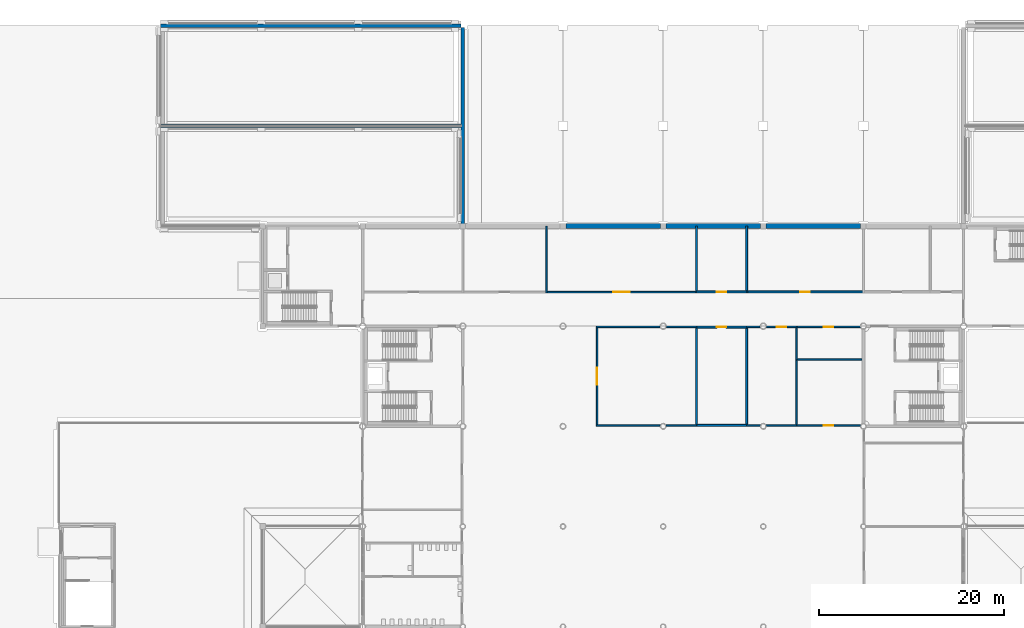
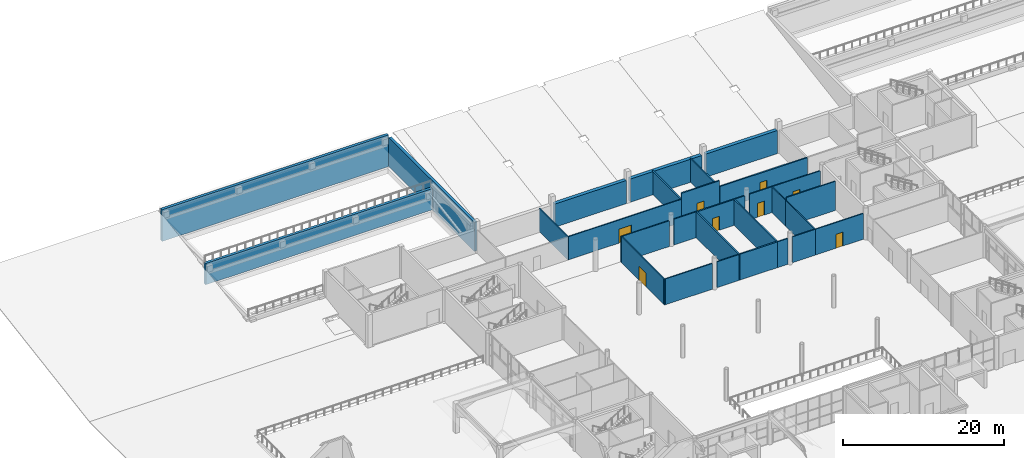
# One storey, part 51 of 91: 30 walls, 8 doors, 8 openings.
"""IFC4 building model written with IfcOpenShell, lengths in metres."""

from ifc_helpers import new_model, si_unit, direction, frame, frame_2d, origin, place, context, subcontext, project, spatial, rectangle, extrude, material, layer, layer_set, type_object, element, fill, save


model = new_model("IFC4")

# Units and contexts
model_context = context("Model", 3, precision=1e-05, world=origin(), true_north=direction((0.0, 1.0)))
body_context = subcontext(model_context, "Body", "Model", "MODEL_VIEW")
ifc_project = project(units=[si_unit("LENGTHUNIT", "METRE"), si_unit("AREAUNIT", "SQUARE_METRE"), si_unit("VOLUMEUNIT", "CUBIC_METRE"), si_unit("PLANEANGLEUNIT", "RADIAN"), si_unit("MASSUNIT", "GRAM", prefix="KILO")], contexts=[model_context])

# Site, building, storey
site_placement = place(None, origin())
site = spatial("IfcSite", under=ifc_project, at=site_placement, CompositionType="ELEMENT")
building_placement = place(site_placement, origin())
building = spatial("IfcBuilding", under=site, at=building_placement, Name="Magnolia Steps Interchange", CompositionType="ELEMENT")
storey_placement = place(building_placement, origin())
storey = spatial("IfcBuildingStorey", under=building, at=storey_placement, Name="L00", CompositionType="ELEMENT", Elevation=0.0)

# Walls
ifc_material_1 = material(Name="Concrete C40", Category="concrete")
ifc_layer_1 = layer(ifc_material_1, 0.5)
ifc_layer_set_1 = layer_set([ifc_layer_1], Name="Concrete C40 plinth retaining wall 500")
wall_type_1 = type_object("IfcWallType", Name="Concrete C40 plinth retaining wall 500", PredefinedType="SOLIDWALL", material=ifc_layer_set_1)
wall_1_placement = place(storey_placement, frame((75.10009765625, 96.39990234375, 0.0), z_axis=(0.0, 0.0, 1.0), x_axis=(1.0, 0.0, 0.0)))
element("IfcWall", 1, at=wall_1_placement, inside=storey, type_object=wall_type_1, Name="Service wing north retaining wall", PredefinedType="SOLIDWALL", context=body_context, shape_type="SweptSolid", body=[
    extrude(rectangle(XDim=10.199951171875, YDim=0.5, at=frame_2d((5.10009765625, 0.0))), origin(), (0.0, 0.0, 1.0), 3.5),
])
wall_2_placement = place(storey_placement, frame((85.89990234375, 96.39990234375, 0.0), z_axis=(0.0, 0.0, 1.0), x_axis=(1.0, 0.0, 0.0)))
element("IfcWall", 2, at=wall_2_placement, inside=storey, type_object=wall_type_1, Name="Service wing north retaining wall", PredefinedType="SOLIDWALL", context=body_context, shape_type="SweptSolid", body=[
    extrude(rectangle(XDim=10.2001953125, YDim=0.5, at=frame_2d((5.10009765625, 0.0))), origin(), (0.0, 0.0, 1.0), 3.5),
])
wall_3_placement = place(storey_placement, frame((96.699951171875, 96.39990234375, 0.0), z_axis=(0.0, 0.0, 1.0), x_axis=(1.0, 0.0, 0.0)))
element("IfcWall", 3, at=wall_3_placement, inside=storey, type_object=wall_type_1, Name="Service wing north retaining wall", PredefinedType="SOLIDWALL", context=body_context, shape_type="SweptSolid", body=[
    extrude(rectangle(XDim=10.199951171875, YDim=0.5, at=frame_2d((5.10009765625, 0.0))), origin(), (0.0, 0.0, 1.0), 3.5),
])

# Wall, opening, door
ifc_material_2 = material(Name="Fair-faced blockwork", Category="masonry")
ifc_layer_2 = layer(ifc_material_2, 0.199951171875)
ifc_layer_set_2 = layer_set([ifc_layer_2], Name="Fire partition wall 200")
wall_type_2 = type_object("IfcWallType", Name="Fire partition wall 200", PredefinedType="PARTITIONING", material=ifc_layer_set_2)
wall_4_placement = place(storey_placement, frame((89.199951171875, 85.5, 0.0), z_axis=(0.0, 0.0, 1.0), x_axis=(1.0, 0.0, 0.0)))
wall_4 = element("IfcWall", 4, at=wall_4_placement, inside=storey, type_object=wall_type_2, Name="L00 partition 3", PredefinedType="PARTITIONING", context=body_context, shape_type="SweptSolid", body=[
    extrude(rectangle(XDim=5.400146484375, YDim=0.199951171875, at=frame_2d((2.7001953125, 0.0))), origin(), (0.0, 0.0, 1.0), 3.89990234375),
])
opening_1_placement = place(wall_4_placement, frame((2.199951171875, 0.0, 0.0)))
opening_1 = element("IfcOpeningElement", 5, at=opening_1_placement, cuts=wall_4, Name="Opening D-L00-17", PredefinedType="OPENING", context=body_context, shape_type="SweptSolid", body=[
    extrude(rectangle(XDim=1.0, YDim=2.10009765625, at=frame_2d((0.5, 1.050048828125))), frame((0.0, 0.10986328125, 0.0), z_axis=(0.0, -1.0, 0.0), x_axis=(1.0, 0.0, 0.0)), (0.0, 0.0, 1.0), 0.219970703125),
])
ifc_material_3 = material(Name="Painted steel", Category="steel")
door_type_1 = type_object("IfcDoorType", Name="Plant room door 1000x2100", OperationType="NOTDEFINED", PredefinedType="DOOR", material=ifc_material_3)
door_1_placement = place(opening_1_placement, frame((1.0, 0.0, 0.0), z_axis=(0.0, 0.0, 1.0), x_axis=(-1.0, 0.0, 0.0)))
door_1 = element("IfcDoor", 6, at=door_1_placement, inside=storey, type_object=door_type_1, Name="Left Luggage Room door", OperationType="SINGLE_SWING_LEFT", OverallHeight=2.10009765625, OverallWidth=1.0, PredefinedType="DOOR", context=body_context, shape_type="SweptSolid", body=[
    extrude(rectangle(XDim=1.0, YDim=2.10009765625, at=frame_2d((0.5, 1.050048828125))), frame((0.0, 0.02490234375, 0.0), z_axis=(0.0, -1.0, 0.0), x_axis=(1.0, 0.0, 0.0)), (0.0, 0.0, 1.0), 0.050048828125),
])
fill(opening_1, door_1)

wall_5_placement = place(storey_placement, frame((89.199951171875, 89.300048828125, 0.0), z_axis=(0.0, 0.0, 1.0), x_axis=(1.0, 0.0, 0.0)))
wall_5 = element("IfcWall", 7, at=wall_5_placement, inside=storey, type_object=wall_type_2, Name="L00 partition 10", PredefinedType="PARTITIONING", context=body_context, shape_type="SweptSolid", body=[
    extrude(rectangle(XDim=5.400146484375, YDim=0.199951171875, at=frame_2d((2.7001953125, 0.0))), origin(), (0.0, 0.0, 1.0), 4.39990234375),
])
opening_2_placement = place(wall_5_placement, frame((2.199951171875, 0.0, 0.0)))
opening_2 = element("IfcOpeningElement", 8, at=opening_2_placement, cuts=wall_5, Name="Opening D-L00-4", PredefinedType="OPENING", context=body_context, shape_type="SweptSolid", body=[
    extrude(rectangle(XDim=1.0, YDim=2.10009765625, at=frame_2d((0.5, 1.050048828125))), frame((0.0, 0.10986328125, 0.0), z_axis=(0.0, -1.0, 0.0), x_axis=(1.0, 0.0, 0.0)), (0.0, 0.0, 1.0), 0.219970703125),
])
door_2_placement = place(opening_2_placement, origin())
door_2 = element("IfcDoor", 9, at=door_2_placement, inside=storey, type_object=door_type_1, Name="Security Control Room door", OperationType="SINGLE_SWING_RIGHT", OverallHeight=2.10009765625, OverallWidth=1.0, PredefinedType="DOOR", context=body_context, shape_type="SweptSolid", body=[
    extrude(rectangle(XDim=1.0, YDim=2.10009765625, at=frame_2d((0.5, 1.050048828125))), frame((0.0, 0.02490234375, 0.0), z_axis=(0.0, -1.0, 0.0), x_axis=(1.0, 0.0, 0.0)), (0.0, 0.0, 1.0), 0.050048828125),
])
fill(opening_2, door_2)

wall_6_placement = place(storey_placement, frame((94.60009765625, 89.300048828125, 0.0), z_axis=(0.0, 0.0, 1.0), x_axis=(1.0, 0.0, 0.0)))
wall_6 = element("IfcWall", 10, at=wall_6_placement, inside=storey, type_object=wall_type_2, Name="L00 partition 11", PredefinedType="PARTITIONING", context=body_context, shape_type="SweptSolid", body=[
    extrude(rectangle(XDim=12.599853515625, YDim=0.199951171875, at=frame_2d((6.2998046875, 0.0))), origin(), (0.0, 0.0, 1.0), 3.5),
])
opening_3_placement = place(wall_6_placement, frame((5.800048828125, 0.0, 0.0)))
opening_3 = element("IfcOpeningElement", 11, at=opening_3_placement, cuts=wall_6, Name="Opening D-L00-5", PredefinedType="OPENING", context=body_context, shape_type="SweptSolid", body=[
    extrude(rectangle(XDim=1.0, YDim=2.10009765625, at=frame_2d((0.5, 1.050048828125))), frame((0.0, 0.10986328125, 0.0), z_axis=(0.0, -1.0, 0.0), x_axis=(1.0, 0.0, 0.0)), (0.0, 0.0, 1.0), 0.219970703125),
])
door_3_placement = place(opening_3_placement, origin())
door_3 = element("IfcDoor", 12, at=door_3_placement, inside=storey, type_object=door_type_1, Name="Goods Delivery Room door", OperationType="SINGLE_SWING_RIGHT", OverallHeight=2.10009765625, OverallWidth=1.0, PredefinedType="DOOR", context=body_context, shape_type="SweptSolid", body=[
    extrude(rectangle(XDim=1.0, YDim=2.10009765625, at=frame_2d((0.5, 1.050048828125))), frame((0.0, 0.02490234375, 0.0), z_axis=(0.0, -1.0, 0.0), x_axis=(1.0, 0.0, 0.0)), (0.0, 0.0, 1.0), 0.050048828125),
])
fill(opening_3, door_3)

# Walls
for number, where, z_axis, x_axis, name in (
    (13, (89.199951171875, 89.199951171875, 0.0), (0.0, 0.0, 1.0), (0.0, 1.0, 0.0), "L00 partition 16"),
    (14, (94.60009765625, 89.199951171875, 0.0), (0.0, 0.0, 1.0), (0.0, 1.0, 0.0), "L00 partition 17"),
):
    element("IfcWall", number, at=place(storey_placement, frame(where, z_axis=z_axis, x_axis=x_axis)), inside=storey, type_object=wall_type_2, Name=name, PredefinedType="PARTITIONING", context=body_context, shape_type="SweptSolid", body=[
        extrude(rectangle(XDim=7.199951171875, YDim=0.199951171875, at=frame_2d((3.60009765625, 0.0))), origin(), (0.0, 0.0, 1.0), 3.5),
    ])
wall_7_placement = place(storey_placement, frame((89.199951171875, 74.89990234375, 0.0), z_axis=(0.0, 0.0, 1.0), x_axis=(1.0, 0.0, 0.0)))
element("IfcWall", 15, at=wall_7_placement, inside=storey, type_object=wall_type_2, Name="L00 partition 31", PredefinedType="PARTITIONING", context=body_context, shape_type="SweptSolid", body=[
    extrude(rectangle(XDim=5.400146484375, YDim=0.199951171875, at=frame_2d((2.7001953125, 0.0))), origin(), (0.0, 0.0, 1.0), 3.89990234375),
])
for number, where, z_axis, x_axis, name in (
    (16, (89.199951171875, 74.800048828125, 0.0), (0.0, 0.0, 1.0), (0.0, 1.0, 0.0), "L00 partition 45"),
    (17, (94.60009765625, 74.800048828125, 0.0), (0.0, 0.0, 1.0), (0.0, 1.0, 0.0), "L00 partition 46"),
):
    element("IfcWall", number, at=place(storey_placement, frame(where, z_axis=z_axis, x_axis=x_axis)), inside=storey, type_object=wall_type_2, Name=name, PredefinedType="PARTITIONING", context=body_context, shape_type="SweptSolid", body=[
        extrude(rectangle(XDim=10.800048828125, YDim=0.199951171875, at=frame_2d((5.39990234375, 0.0))), origin(), (0.0, 0.0, 1.0), 3.89990234375),
    ])
ifc_material_4 = material(Name="Fair-faced blockwork", Category="masonry")
ifc_layer_3 = layer(ifc_material_4, 0.14990234375)
ifc_layer_set_3 = layer_set([ifc_layer_3], Name="Partition wall 150")
wall_type_3 = type_object("IfcWallType", Name="Partition wall 150", PredefinedType="PARTITIONING", material=ifc_layer_set_3)
wall_8_placement = place(storey_placement, frame((85.941650390625, 85.52490234375, 0.0), z_axis=(0.0, 0.0, 1.0), x_axis=(1.0, 0.0, 0.0)))
element("IfcWall", 18, at=wall_8_placement, inside=storey, type_object=wall_type_3, Name="L00 partition 1", PredefinedType="PARTITIONING", context=body_context, shape_type="SweptSolid", body=[
    extrude(rectangle(XDim=3.25830078125, YDim=0.14990234375, at=frame_2d((1.629150390625, 0.0))), origin(), (0.0, 0.0, 1.0), 3.89990234375),
])
wall_9_placement = place(storey_placement, frame((78.39990234375, 85.52490234375, 0.0), z_axis=(0.0, 0.0, 1.0), x_axis=(1.0, 0.0, 0.0)))
element("IfcWall", 19, at=wall_9_placement, inside=storey, type_object=wall_type_3, Name="L00 partition 2", PredefinedType="PARTITIONING", context=body_context, shape_type="SweptSolid", body=[
    extrude(rectangle(XDim=6.8583984375, YDim=0.14990234375, at=frame_2d((3.42919921875, 0.0))), origin(), (0.0, 0.0, 1.0), 3.89990234375),
])

# Wall, opening, door
wall_10_placement = place(storey_placement, frame((96.74169921875, 85.52490234375, 0.0), z_axis=(0.0, 0.0, 1.0), x_axis=(1.0, 0.0, 0.0)))
wall_10 = element("IfcWall", 20, at=wall_10_placement, inside=storey, type_object=wall_type_3, Name="L00 partition 7", PredefinedType="PARTITIONING", context=body_context, shape_type="SweptSolid", body=[
    extrude(rectangle(XDim=3.25830078125, YDim=0.14990234375, at=frame_2d((1.629150390625, 0.0))), origin(), (0.0, 0.0, 1.0), 3.89990234375),
])
opening_4_placement = place(wall_10_placement, frame((1.129150390625, 0.0, 0.0)))
opening_4 = element("IfcOpeningElement", 21, at=opening_4_placement, cuts=wall_10, Name="Opening D-L00-18", PredefinedType="OPENING", context=body_context, shape_type="SweptSolid", body=[
    extrude(rectangle(XDim=1.0, YDim=2.10009765625, at=frame_2d((0.5, 1.050048828125))), frame((0.0, 0.0849609375, 0.0), z_axis=(0.0, -1.0, 0.0), x_axis=(1.0, 0.0, 0.0)), (0.0, 0.0, 1.0), 0.169921875),
])
ifc_material_5 = material(Name="Timber", Category="wood")
door_type_2 = type_object("IfcDoorType", Name="Room door 1000x2100", OperationType="NOTDEFINED", PredefinedType="DOOR", material=ifc_material_5)
door_4_placement = place(opening_4_placement, frame((1.0, 0.0, 0.0), z_axis=(0.0, 0.0, 1.0), x_axis=(-1.0, 0.0, 0.0)))
door_4 = element("IfcDoor", 22, at=door_4_placement, inside=storey, type_object=door_type_2, Name="Police Post door", OperationType="SINGLE_SWING_RIGHT", OverallHeight=2.10009765625, OverallWidth=1.0, PredefinedType="DOOR", context=body_context, shape_type="SweptSolid", body=[
    extrude(rectangle(XDim=1.0, YDim=2.10009765625, at=frame_2d((0.5, 1.050048828125))), frame((0.0, 0.02490234375, 0.0), z_axis=(0.0, -1.0, 0.0), x_axis=(1.0, 0.0, 0.0)), (0.0, 0.0, 1.0), 0.050048828125),
])
fill(opening_4, door_4)

# Wall
wall_11_placement = place(storey_placement, frame((94.60009765625, 85.52490234375, 0.0), z_axis=(0.0, 0.0, 1.0), x_axis=(1.0, 0.0, 0.0)))
element("IfcWall", 23, at=wall_11_placement, inside=storey, type_object=wall_type_3, Name="L00 partition 8", PredefinedType="PARTITIONING", context=body_context, shape_type="SweptSolid", body=[
    extrude(rectangle(XDim=1.458251953125, YDim=0.14990234375, at=frame_2d((0.72900390625, 0.0))), origin(), (0.0, 0.0, 1.0), 3.89990234375),
])

# Wall, opening, door
wall_12_placement = place(storey_placement, frame((100.0, 85.52490234375, 0.0), z_axis=(0.0, 0.0, 1.0), x_axis=(1.0, 0.0, 0.0)))
wall_12 = element("IfcWall", 24, at=wall_12_placement, inside=storey, type_object=wall_type_3, Name="L00 partition 9", PredefinedType="PARTITIONING", context=body_context, shape_type="SweptSolid", body=[
    extrude(rectangle(XDim=6.8583984375, YDim=0.14990234375, at=frame_2d((3.42919921875, 0.0))), origin(), (0.0, 0.0, 1.0), 3.89990234375),
])
opening_5_placement = place(wall_12_placement, frame((2.92919921875, 0.0, 0.0)))
opening_5 = element("IfcOpeningElement", 25, at=opening_5_placement, cuts=wall_12, Name="Opening D-L00-20", PredefinedType="OPENING", context=body_context, shape_type="SweptSolid", body=[
    extrude(rectangle(XDim=1.0, YDim=2.10009765625, at=frame_2d((0.5, 1.050048828125))), frame((0.0, 0.0849609375, 0.0), z_axis=(0.0, -1.0, 0.0), x_axis=(1.0, 0.0, 0.0)), (0.0, 0.0, 1.0), 0.169921875),
])
door_5_placement = place(opening_5_placement, frame((1.0, 0.0, 0.0), z_axis=(0.0, 0.0, 1.0), x_axis=(-1.0, 0.0, 0.0)))
door_5 = element("IfcDoor", 26, at=door_5_placement, inside=storey, type_object=door_type_2, Name="Cash Office door", OperationType="SINGLE_SWING_RIGHT", OverallHeight=2.10009765625, OverallWidth=1.0, PredefinedType="DOOR", context=body_context, shape_type="SweptSolid", body=[
    extrude(rectangle(XDim=1.0, YDim=2.10009765625, at=frame_2d((0.5, 1.050048828125))), frame((0.0, 0.02490234375, 0.0), z_axis=(0.0, -1.0, 0.0), x_axis=(1.0, 0.0, 0.0)), (0.0, 0.0, 1.0), 0.050048828125),
])
fill(opening_5, door_5)

wall_13_placement = place(storey_placement, frame((73.0, 89.27490234375, 0.0), z_axis=(0.0, 0.0, 1.0), x_axis=(1.0, 0.0, 0.0)))
wall_13 = element("IfcWall", 27, at=wall_13_placement, inside=storey, type_object=wall_type_3, Name="L00 partition 13", PredefinedType="PARTITIONING", context=body_context, shape_type="SweptSolid", body=[
    extrude(rectangle(XDim=16.199951171875, YDim=0.14990234375, at=frame_2d((8.10009765625, 0.0))), origin(), (0.0, 0.0, 1.0), 3.5),
])
opening_6_placement = place(wall_13_placement, frame((7.199951171875, 0.0, 0.0)))
opening_6 = element("IfcOpeningElement", 28, at=opening_6_placement, cuts=wall_13, Name="Opening D-L00-3", PredefinedType="OPENING", context=body_context, shape_type="SweptSolid", body=[
    extrude(rectangle(XDim=1.800048828125, YDim=2.10009765625, at=frame_2d((0.89990234375, 1.050048828125))), frame((0.0, 0.0849609375, 0.0), z_axis=(0.0, -1.0, 0.0), x_axis=(1.0, 0.0, 0.0)), (0.0, 0.0, 1.0), 0.169921875),
])
ifc_material_6 = material(Name="Timber", Category="wood")
door_type_3 = type_object("IfcDoorType", Name="Room door pair 1800x2100", OperationType="DOUBLE_DOOR_DOUBLE_SWING", PredefinedType="DOOR", material=ifc_material_6)
door_6_placement = place(opening_6_placement, frame((1.800048828125, 0.0, 0.0), z_axis=(0.0, 0.0, 1.0), x_axis=(-1.0, 0.0, 0.0)))
door_6 = element("IfcDoor", 29, at=door_6_placement, inside=storey, type_object=door_type_3, Name="Staff Canteen door", OperationType="DOUBLE_DOOR_DOUBLE_SWING", OverallHeight=2.10009765625, OverallWidth=1.800048828125, PredefinedType="DOOR", context=body_context, shape_type="SweptSolid", body=[
    extrude(rectangle(XDim=1.800048828125, YDim=2.10009765625, at=frame_2d((0.89990234375, 1.050048828125))), frame((0.0, 0.02490234375, 0.0), z_axis=(0.0, -1.0, 0.0), x_axis=(1.0, 0.0, 0.0)), (0.0, 0.0, 1.0), 0.050048828125),
])
fill(opening_6, door_6)

# Wall
wall_14_placement = place(storey_placement, frame((73.0, 89.199951171875, 0.0), z_axis=(0.0, 0.0, 1.0), x_axis=(0.0, 1.0, 0.0)))
element("IfcWall", 30, at=wall_14_placement, inside=storey, type_object=wall_type_3, Name="L00 partition 15", PredefinedType="PARTITIONING", context=body_context, shape_type="SweptSolid", body=[
    extrude(rectangle(XDim=7.199951171875, YDim=0.14990234375, at=frame_2d((3.60009765625, 0.0))), origin(), (0.0, 0.0, 1.0), 3.5),
])

# Wall, opening, door
wall_15_placement = place(storey_placement, frame((100.0, 74.875, 0.0), z_axis=(0.0, 0.0, 1.0), x_axis=(1.0, 0.0, 0.0)))
wall_15 = element("IfcWall", 31, at=wall_15_placement, inside=storey, type_object=wall_type_3, Name="L00 partition 28", PredefinedType="PARTITIONING", context=body_context, shape_type="SweptSolid", body=[
    extrude(rectangle(XDim=6.884033203125, YDim=0.14990234375, at=frame_2d((3.44189453125, 0.0))), origin(), (0.0, 0.0, 1.0), 3.89990234375),
])
opening_7_placement = place(wall_15_placement, frame((2.942138671875, 0.0, 0.0)))
opening_7 = element("IfcOpeningElement", 32, at=opening_7_placement, cuts=wall_15, Name="Opening D-L00-19", PredefinedType="OPENING", context=body_context, shape_type="SweptSolid", body=[
    extrude(rectangle(XDim=1.0, YDim=2.10009765625, at=frame_2d((0.5, 1.050048828125))), frame((0.0, 0.0849609375, 0.0), z_axis=(0.0, -1.0, 0.0), x_axis=(1.0, 0.0, 0.0)), (0.0, 0.0, 1.0), 0.169921875),
])
door_7_placement = place(opening_7_placement, origin())
door_7 = element("IfcDoor", 33, at=door_7_placement, inside=storey, type_object=door_type_2, Name="Concourse First Aid Post door", OperationType="SINGLE_SWING_LEFT", OverallHeight=2.10009765625, OverallWidth=1.0, PredefinedType="DOOR", context=body_context, shape_type="SweptSolid", body=[
    extrude(rectangle(XDim=1.0, YDim=2.10009765625, at=frame_2d((0.5, 1.050048828125))), frame((0.0, 0.02490234375, 0.0), z_axis=(0.0, -1.0, 0.0), x_axis=(1.0, 0.0, 0.0)), (0.0, 0.0, 1.0), 0.050048828125),
])
fill(opening_7, door_7)

# Walls
wall_16_placement = place(storey_placement, frame((78.39990234375, 74.875, 0.0), z_axis=(0.0, 0.0, 1.0), x_axis=(1.0, 0.0, 0.0)))
element("IfcWall", 34, at=wall_16_placement, inside=storey, type_object=wall_type_3, Name="L00 partition 29", PredefinedType="PARTITIONING", context=body_context, shape_type="SweptSolid", body=[
    extrude(rectangle(XDim=6.88427734375, YDim=0.14990234375, at=frame_2d((3.442138671875, 0.0))), origin(), (0.0, 0.0, 1.0), 3.89990234375),
])
wall_17_placement = place(storey_placement, frame((85.915771484375, 74.875, 0.0), z_axis=(0.0, 0.0, 1.0), x_axis=(1.0, 0.0, 0.0)))
element("IfcWall", 35, at=wall_17_placement, inside=storey, type_object=wall_type_3, Name="L00 partition 30", PredefinedType="PARTITIONING", context=body_context, shape_type="SweptSolid", body=[
    extrude(rectangle(XDim=3.2841796875, YDim=0.14990234375, at=frame_2d((1.64208984375, 0.0))), origin(), (0.0, 0.0, 1.0), 3.89990234375),
])
wall_18_placement = place(storey_placement, frame((94.60009765625, 74.875, 0.0), z_axis=(0.0, 0.0, 1.0), x_axis=(1.0, 0.0, 0.0)))
element("IfcWall", 36, at=wall_18_placement, inside=storey, type_object=wall_type_3, Name="L00 partition 34", PredefinedType="PARTITIONING", context=body_context, shape_type="SweptSolid", body=[
    extrude(rectangle(XDim=1.484130859375, YDim=0.14990234375, at=frame_2d((0.7421875, 0.0))), origin(), (0.0, 0.0, 1.0), 3.89990234375),
])
wall_19_placement = place(storey_placement, frame((96.7158203125, 74.875, 0.0), z_axis=(0.0, 0.0, 1.0), x_axis=(1.0, 0.0, 0.0)))
element("IfcWall", 37, at=wall_19_placement, inside=storey, type_object=wall_type_3, Name="L00 partition 35", PredefinedType="PARTITIONING", context=body_context, shape_type="SweptSolid", body=[
    extrude(rectangle(XDim=3.2841796875, YDim=0.14990234375, at=frame_2d((1.64208984375, 0.0))), origin(), (0.0, 0.0, 1.0), 3.89990234375),
])

# Wall, opening, door
wall_20_placement = place(storey_placement, frame((78.47509765625, 74.800048828125, 0.0), z_axis=(0.0, 0.0, 1.0), x_axis=(0.0, 1.0, 0.0)))
wall_20 = element("IfcWall", 38, at=wall_20_placement, inside=storey, type_object=wall_type_3, Name="L00 partition 44", PredefinedType="PARTITIONING", context=body_context, shape_type="SweptSolid", body=[
    extrude(rectangle(XDim=10.800048828125, YDim=0.14990234375, at=frame_2d((5.39990234375, 0.0))), origin(), (0.0, 0.0, 1.0), 3.89990234375),
])
opening_8_placement = place(wall_20_placement, frame((4.5, 0.0, 0.0)))
opening_8 = element("IfcOpeningElement", 39, at=opening_8_placement, cuts=wall_20, Name="Opening D-L00-16", PredefinedType="OPENING", context=body_context, shape_type="SweptSolid", body=[
    extrude(rectangle(XDim=1.800048828125, YDim=2.10009765625, at=frame_2d((0.89990234375, 1.050048828125))), frame((0.0, 0.0849609375, 0.0), z_axis=(0.0, -1.0, 0.0), x_axis=(1.0, 0.0, 0.0)), (0.0, 0.0, 1.0), 0.169921875),
])
door_8_placement = place(opening_8_placement, frame((1.800048828125, 0.0, 0.0), z_axis=(0.0, 0.0, 1.0), x_axis=(-1.0, 0.0, 0.0)))
door_8 = element("IfcDoor", 40, at=door_8_placement, inside=storey, type_object=door_type_3, Name="Ticket Office door", OperationType="DOUBLE_DOOR_DOUBLE_SWING", OverallHeight=2.10009765625, OverallWidth=1.800048828125, PredefinedType="DOOR", context=body_context, shape_type="SweptSolid", body=[
    extrude(rectangle(XDim=1.800048828125, YDim=2.10009765625, at=frame_2d((0.89990234375, 1.050048828125))), frame((0.0, 0.02490234375, 0.0), z_axis=(0.0, -1.0, 0.0), x_axis=(1.0, 0.0, 0.0)), (0.0, 0.0, 1.0), 0.050048828125),
])
fill(opening_8, door_8)

# Walls
wall_21_placement = place(storey_placement, frame((100.0, 74.800048828125, 0.0), z_axis=(0.0, 0.0, 1.0), x_axis=(0.0, 1.0, 0.0)))
element("IfcWall", 41, at=wall_21_placement, inside=storey, type_object=wall_type_3, Name="L00 partition 47", PredefinedType="PARTITIONING", context=body_context, shape_type="SweptSolid", body=[
    extrude(rectangle(XDim=7.199951171875, YDim=0.14990234375, at=frame_2d((3.60009765625, 0.0))), origin(), (0.0, 0.0, 1.0), 3.89990234375),
])
wall_22_placement = place(storey_placement, frame((100.0, 82.0, 0.0), z_axis=(0.0, 0.0, 1.0), x_axis=(0.0, 1.0, 0.0)))
element("IfcWall", 42, at=wall_22_placement, inside=storey, type_object=wall_type_3, Name="L00 partition 48", PredefinedType="PARTITIONING", context=body_context, shape_type="SweptSolid", body=[
    extrude(rectangle(XDim=3.60009765625, YDim=0.14990234375, at=frame_2d((1.800048828125, 0.0))), origin(), (0.0, 0.0, 1.0), 3.89990234375),
])
wall_23_placement = place(storey_placement, frame((100.0, 82.0, 0.0), z_axis=(0.0, 0.0, 1.0), x_axis=(1.0, 0.0, 0.0)))
element("IfcWall", 43, at=wall_23_placement, inside=storey, type_object=wall_type_3, Name="L00 partition 49", PredefinedType="PARTITIONING", context=body_context, shape_type="SweptSolid", body=[
    extrude(rectangle(XDim=7.02001953125, YDim=0.14990234375, at=frame_2d((3.510009765625, 0.0))), origin(), (0.0, 0.0, 1.0), 4.39990234375),
])
ifc_material_7 = material(Name="Concrete C40", Category="concrete")
ifc_layer_4 = layer(ifc_material_7, 0.39990234375)
ifc_layer_set_4 = layer_set([ifc_layer_4], Name="Terrace retaining wall 400")
wall_type_4 = type_object("IfcWallType", Name="Terrace retaining wall 400", PredefinedType="SOLIDWALL", material=ifc_layer_set_4)
wall_24_placement = place(storey_placement, frame((64.0, 96.60009765625, 0.0), z_axis=(0.0, 0.0, 1.0), x_axis=(0.0, 1.0, 0.0)))
element("IfcWall", 44, at=wall_24_placement, inside=storey, type_object=wall_type_4, Name="Terrace retaining wall", PredefinedType="SOLIDWALL", context=body_context, shape_type="SweptSolid", body=[
    extrude(rectangle(XDim=21.199951171875, YDim=0.39990234375, at=frame_2d((10.60009765625, 0.0))), origin(), (0.0, 0.0, 1.0), 4.39990234375),
])
wall_25_placement = place(storey_placement, frame((31.39990234375, 107.199951171875, 0.0), z_axis=(0.0, 0.0, 1.0), x_axis=(1.0, 0.0, 0.0)))
element("IfcWall", 45, at=wall_25_placement, inside=storey, type_object=wall_type_4, Name="Terrace wall W 2", PredefinedType="SOLIDWALL", context=body_context, shape_type="SweptSolid", body=[
    extrude(rectangle(XDim=32.400146484375, YDim=0.39990234375, at=frame_2d((16.2001953125, 0.0))), origin(), (0.0, 0.0, 1.0), 3.199951171875),
])
wall_26_placement = place(storey_placement, frame((31.39990234375, 118.0, 0.0), z_axis=(0.0, 0.0, 1.0), x_axis=(1.0, 0.0, 0.0)))
element("IfcWall", 46, at=wall_26_placement, inside=storey, type_object=wall_type_4, Name="Terrace wall W 3", PredefinedType="SOLIDWALL", context=body_context, shape_type="SweptSolid", body=[
    extrude(rectangle(XDim=32.400146484375, YDim=0.39990234375, at=frame_2d((16.2001953125, 0.0))), origin(), (0.0, 0.0, 1.0), 4.800048828125),
])

save(model, "model.ifc")
